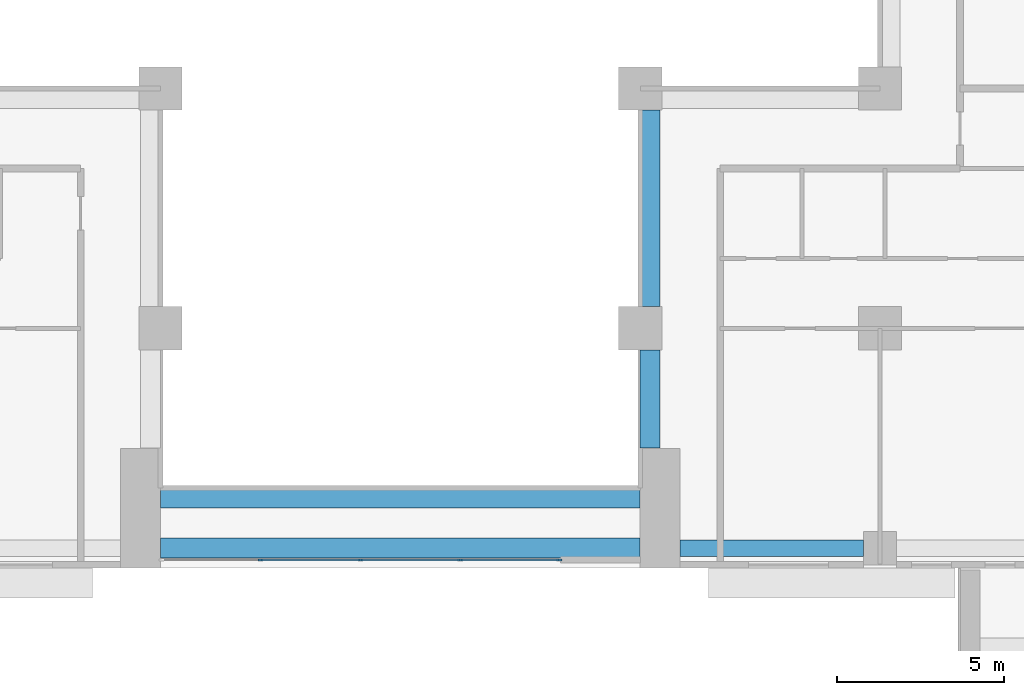
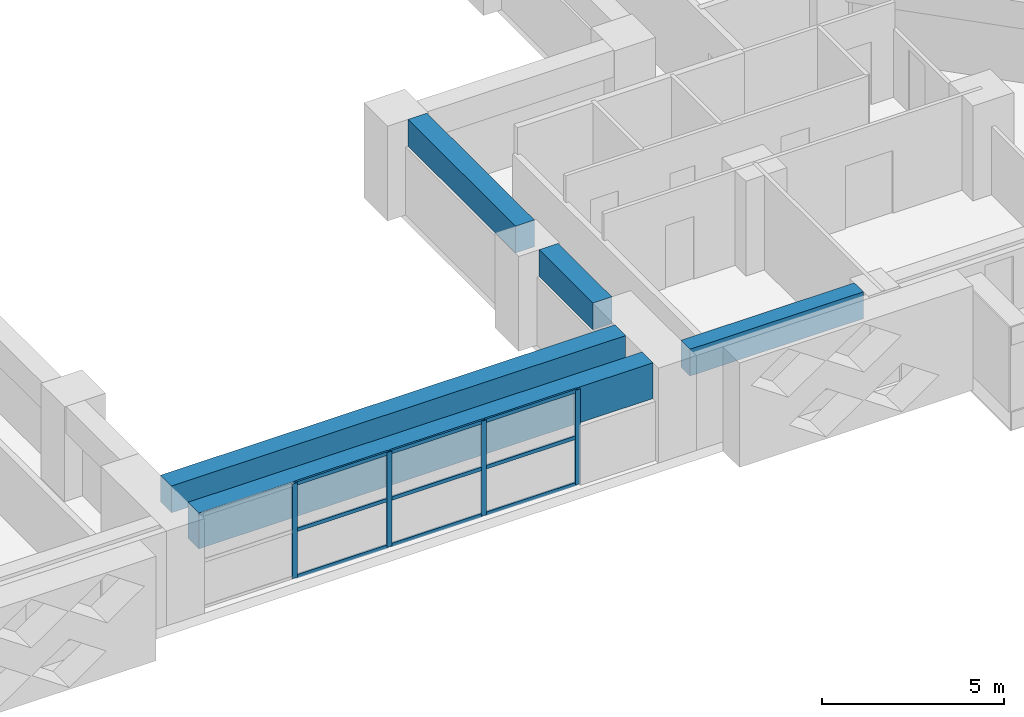
# One storey, part 4 of 16: 13 members, 5 beams, 1 element without a shape of its own.
"""IFC4 building model written with IfcOpenShell, lengths in metres."""

from ifc_helpers import new_model, si_unit, direction, frame, origin, origin_2d, place, context, subcontext, project, spatial, rectangle, extrude, source, transform, mapped, material, layer, layer_set, material_profile, profile_set, type_object, element, aggregate, save


model = new_model("IFC4")

# Units and contexts
model_context = context("Model", 3, precision=1e-05, world=origin(), true_north=direction((0.0, 1.0)))
body_context = subcontext(model_context, "Body", "Model", "MODEL_VIEW")
ifc_project = project(units=[si_unit("LENGTHUNIT", "METRE"), si_unit("AREAUNIT", "SQUARE_METRE"), si_unit("VOLUMEUNIT", "CUBIC_METRE"), si_unit("PLANEANGLEUNIT", "RADIAN"), si_unit("MASSUNIT", "GRAM", prefix="KILO")], contexts=[model_context])

# Site, building, storey
site_placement = place(None, origin())
site = spatial("IfcSite", under=ifc_project, at=site_placement, CompositionType="ELEMENT")
building_placement = place(site_placement, origin())
building = spatial("IfcBuilding", under=site, at=building_placement, Name="Saffron Iwan Residences", CompositionType="ELEMENT")
storey_placement = place(building_placement, frame((0.0, 0.0, 69.0)))
storey = spatial("IfcBuildingStorey", under=building, at=storey_placement, Name="L17", CompositionType="ELEMENT", Elevation=69.0)

# Beams
ifc_material_1 = material(Name="Concrete C60/75", Category="concrete")
ifc_material_profile_1 = material_profile(ifc_material_1, rectangle(XDim=0.60009765625, YDim=1.199951171875, at=origin_2d()), Name="RC 600x1200")
ifc_profile_set_1 = profile_set([ifc_material_profile_1], Name="Concrete C60/75")
beam_type_1 = type_object("IfcBeamType", Name="LINTEL BEAM RC 600x1200 C60/75 TOP 3180", PredefinedType="LINTEL", material=ifc_profile_set_1)
shared_shape_1 = source(origin(), body_context, "Body", "SweptSolid", [
    extrude(rectangle(XDim=0.60009765625, YDim=1.199951171875, at=origin_2d()), origin(), (0.0, 0.0, 1.0), 14.400146484375),
])
beam_1_placement = place(storey_placement, frame((57.60009765625, 34.199951171875, 2.580078125), z_axis=(-1.0, 0.0, 0.0), x_axis=(0.0, -1.0, 0.0)))
element("IfcBeam", 1, at=beam_1_placement, inside=storey, type_object=beam_type_1, Name="Lintel beam over the iwan", PredefinedType="LINTEL", context=body_context, shape_type="MappedRepresentation", body=[
    mapped(shared_shape_1, transform((0.0, 0.0, 0.0))),
])
ifc_material_profile_2 = material_profile(ifc_material_1, rectangle(XDim=0.60009765625, YDim=0.89990234375, at=origin_2d()), Name="RC 600x900")
ifc_profile_set_2 = profile_set([ifc_material_profile_2], Name="Concrete C60/75")
beam_type_2 = type_object("IfcBeamType", Name="BEAM RC 600x900 C60/75 TOP 3180", PredefinedType="BEAM", material=ifc_profile_set_2)
shared_shape_2 = source(origin(), body_context, "Body", "SweptSolid", [
    extrude(rectangle(XDim=0.60009765625, YDim=0.89990234375, at=origin_2d()), origin(), (0.0, 0.0, 1.0), 14.400146484375),
])
beam_2_placement = place(storey_placement, frame((57.60009765625, 35.699951171875, 2.72998046875), z_axis=(-1.0, 0.0, 0.0), x_axis=(0.0, -1.0, 0.0)))
element("IfcBeam", 2, at=beam_2_placement, inside=storey, type_object=beam_type_2, Name="Atrium edge beam", PredefinedType="BEAM", context=body_context, shape_type="MappedRepresentation", body=[
    mapped(shared_shape_2, transform((0.0, 0.0, 0.0))),
])
ifc_material_profile_3 = material_profile(ifc_material_1, rectangle(XDim=0.5, YDim=0.89990234375, at=origin_2d()), Name="RC 500x900")
ifc_profile_set_3 = profile_set([ifc_material_profile_3], Name="Concrete C60/75")
beam_type_3 = type_object("IfcBeamType", Name="SPANDREL BEAM RC 500x900 C60/75 TOP 3180", PredefinedType="SPANDREL", material=ifc_profile_set_3)
shared_shape_3 = source(origin(), body_context, "Body", "SweptSolid", [
    extrude(rectangle(XDim=0.5, YDim=0.89990234375, at=origin_2d()), origin(), (0.0, 0.0, 1.0), 5.5),
])
beam_3_placement = place(storey_placement, frame((64.300048828125, 34.199951171875, 2.72998046875), z_axis=(-1.0, 0.0, 0.0), x_axis=(0.0, -1.0, 0.0)))
element("IfcBeam", 3, at=beam_3_placement, inside=storey, type_object=beam_type_3, Name="Spandrel beam", PredefinedType="SPANDREL", context=body_context, shape_type="MappedRepresentation", body=[
    mapped(shared_shape_3, transform((0.0, 0.0, 0.0))),
])
shared_shape_4 = source(origin(), body_context, "Body", "SweptSolid", [
    extrude(rectangle(XDim=0.60009765625, YDim=0.89990234375, at=origin_2d()), origin(), (0.0, 0.0, 1.0), 2.949951171875),
])
beam_4_placement = place(storey_placement, frame((57.89990234375, 40.14990234375, 2.72998046875), z_axis=(0.0, -1.0, 0.0), x_axis=(1.0, 0.0, 0.0)))
element("IfcBeam", 4, at=beam_4_placement, inside=storey, type_object=beam_type_2, Name="Atrium edge beam", PredefinedType="BEAM", context=body_context, shape_type="MappedRepresentation", body=[
    mapped(shared_shape_4, transform((0.0, 0.0, 0.0))),
])
shared_shape_5 = source(origin(), body_context, "Body", "SweptSolid", [
    extrude(rectangle(XDim=0.60009765625, YDim=0.89990234375, at=origin_2d()), origin(), (0.0, 0.0, 1.0), 5.900146484375),
])
beam_5_placement = place(storey_placement, frame((57.89990234375, 47.35009765625, 2.72998046875), z_axis=(0.0, -1.0, 0.0), x_axis=(1.0, 0.0, 0.0)))
element("IfcBeam", 5, at=beam_5_placement, inside=storey, type_object=beam_type_2, Name="Atrium edge beam", PredefinedType="BEAM", context=body_context, shape_type="MappedRepresentation", body=[
    mapped(shared_shape_5, transform((0.0, 0.0, 0.0))),
])

# Curtain wall, members
ifc_material_2 = material(Name="Clear glass, laminated double glazed", Category="glass")
ifc_layer = layer(ifc_material_2, 0.199951171875)
ifc_layer_set = layer_set([ifc_layer], Name="Clear glass, laminated double glazed")
curtain_wall_type = type_object("IfcCurtainWallType", Name="CW-B IWAN PORTAL", PredefinedType="NOTDEFINED", material=ifc_layer_set)
curtain_wall_placement = place(storey_placement, origin())
curtain_wall = element("IfcCurtainWall", 6, at=curtain_wall_placement, inside=storey, type_object=curtain_wall_type, Name="Iwan portal glazing L17.1", PredefinedType="NOTDEFINED")
ifc_material_3 = material(Name="Aluminium 6063-T6", Category="aluminium")
ifc_material_profile_4 = material_profile(ifc_material_3, rectangle(XDim=0.06005859375, YDim=0.159912109375, at=origin_2d()), Name="CW-B MULLION 60 x 160")
ifc_profile_set_4 = profile_set([ifc_material_profile_4], Name="Aluminium 6063-T6")
member_type_1 = type_object("IfcMemberType", Name="CW-B MULLION 60 x 160", PredefinedType="MULLION", material=ifc_profile_set_4)
shared_shape_6 = source(origin(), body_context, "Body", "SweptSolid", [
    extrude(rectangle(XDim=0.06005859375, YDim=0.159912109375, at=origin_2d()), origin(), (0.0, 0.0, 1.0), 3.179931640625),
])
member_1_placement = place(storey_placement, frame((46.199951171875, 33.85009765625, 0.0), z_axis=(0.0, 0.0, 1.0), x_axis=(0.0, 1.0, 0.0)))
member_1 = element("IfcMember", 7, at=member_1_placement, type_object=member_type_1, Name="CW-B mullion 2", PredefinedType="MULLION", context=body_context, shape_type="MappedRepresentation", body=[
    mapped(shared_shape_6, transform((0.0, 0.0, 0.0))),
])
member_2_placement = place(storey_placement, frame((49.199951171875, 33.85009765625, 0.0), z_axis=(0.0, 0.0, 1.0), x_axis=(0.0, 1.0, 0.0)))
member_2 = element("IfcMember", 8, at=member_2_placement, type_object=member_type_1, Name="CW-B mullion 3", PredefinedType="MULLION", context=body_context, shape_type="MappedRepresentation", body=[
    mapped(shared_shape_6, transform((0.0, 0.0, 0.0))),
])
member_3_placement = place(storey_placement, frame((52.199951171875, 33.85009765625, 0.0), z_axis=(0.0, 0.0, 1.0), x_axis=(0.0, 1.0, 0.0)))
member_3 = element("IfcMember", 9, at=member_3_placement, type_object=member_type_1, Name="CW-B mullion 4", PredefinedType="MULLION", context=body_context, shape_type="MappedRepresentation", body=[
    mapped(shared_shape_6, transform((0.0, 0.0, 0.0))),
])
member_4_placement = place(storey_placement, frame((55.169921875, 33.85009765625, 0.0), z_axis=(0.0, 0.0, 1.0), x_axis=(0.0, 1.0, 0.0)))
member_4 = element("IfcMember", 10, at=member_4_placement, type_object=member_type_1, Name="CW-B mullion 5", PredefinedType="MULLION", context=body_context, shape_type="MappedRepresentation", body=[
    mapped(shared_shape_6, transform((0.0, 0.0, 0.0))),
])
ifc_material_profile_5 = material_profile(ifc_material_3, rectangle(XDim=0.06005859375, YDim=0.1201171875, at=origin_2d()), Name="CW-B TRANSOM 60 x 120")
ifc_profile_set_5 = profile_set([ifc_material_profile_5], Name="Aluminium 6063-T6")
member_type_2 = type_object("IfcMemberType", Name="CW-B TRANSOM 60 x 120", PredefinedType="USERDEFINED", material=ifc_profile_set_5)
shared_shape_7 = source(origin(), body_context, "Body", "SweptSolid", [
    extrude(rectangle(XDim=0.06005859375, YDim=0.1201171875, at=origin_2d()), origin(), (0.0, 0.0, 1.0), 2.909912109375),
])
member_5_placement = place(storey_placement, frame((52.22998046875, 33.85009765625, 0.030029296875), z_axis=(1.0, 0.0, 0.0), x_axis=(0.0, 1.0, 0.0)))
member_5 = element("IfcMember", 11, at=member_5_placement, type_object=member_type_2, Name="CW-B transom 4.1", ObjectType="TRANSOM", PredefinedType="USERDEFINED", context=body_context, shape_type="MappedRepresentation", body=[
    mapped(shared_shape_7, transform((0.0, 0.0, 0.0))),
])
member_6_placement = place(storey_placement, frame((52.22998046875, 33.85009765625, 1.590087890625), z_axis=(1.0, 0.0, 0.0), x_axis=(0.0, 1.0, 0.0)))
member_6 = element("IfcMember", 12, at=member_6_placement, type_object=member_type_2, Name="CW-B transom 4.2", ObjectType="TRANSOM", PredefinedType="USERDEFINED", context=body_context, shape_type="MappedRepresentation", body=[
    mapped(shared_shape_7, transform((0.0, 0.0, 0.0))),
])
member_7_placement = place(storey_placement, frame((52.22998046875, 33.85009765625, 3.14990234375), z_axis=(1.0, 0.0, 0.0), x_axis=(0.0, 1.0, 0.0)))
member_7 = element("IfcMember", 13, at=member_7_placement, type_object=member_type_2, Name="CW-B transom 4.3", ObjectType="TRANSOM", PredefinedType="USERDEFINED", context=body_context, shape_type="MappedRepresentation", body=[
    mapped(shared_shape_7, transform((0.0, 0.0, 0.0))),
])
shared_shape_8 = source(origin(), body_context, "Body", "SweptSolid", [
    extrude(rectangle(XDim=0.06005859375, YDim=0.1201171875, at=origin_2d()), origin(), (0.0, 0.0, 1.0), 2.93994140625),
])
member_8_placement = place(storey_placement, frame((46.22998046875, 33.85009765625, 0.030029296875), z_axis=(1.0, 0.0, 0.0), x_axis=(0.0, 1.0, 0.0)))
member_8 = element("IfcMember", 14, at=member_8_placement, type_object=member_type_2, Name="CW-B transom 2.1", ObjectType="TRANSOM", PredefinedType="USERDEFINED", context=body_context, shape_type="MappedRepresentation", body=[
    mapped(shared_shape_8, transform((0.0, 0.0, 0.0))),
])
member_9_placement = place(storey_placement, frame((46.22998046875, 33.85009765625, 1.590087890625), z_axis=(1.0, 0.0, 0.0), x_axis=(0.0, 1.0, 0.0)))
member_9 = element("IfcMember", 15, at=member_9_placement, type_object=member_type_2, Name="CW-B transom 2.2", ObjectType="TRANSOM", PredefinedType="USERDEFINED", context=body_context, shape_type="MappedRepresentation", body=[
    mapped(shared_shape_8, transform((0.0, 0.0, 0.0))),
])
member_10_placement = place(storey_placement, frame((46.22998046875, 33.85009765625, 3.14990234375), z_axis=(1.0, 0.0, 0.0), x_axis=(0.0, 1.0, 0.0)))
member_10 = element("IfcMember", 16, at=member_10_placement, type_object=member_type_2, Name="CW-B transom 2.3", ObjectType="TRANSOM", PredefinedType="USERDEFINED", context=body_context, shape_type="MappedRepresentation", body=[
    mapped(shared_shape_8, transform((0.0, 0.0, 0.0))),
])
member_11_placement = place(storey_placement, frame((49.22998046875, 33.85009765625, 0.030029296875), z_axis=(1.0, 0.0, 0.0), x_axis=(0.0, 1.0, 0.0)))
member_11 = element("IfcMember", 17, at=member_11_placement, type_object=member_type_2, Name="CW-B transom 3.1", ObjectType="TRANSOM", PredefinedType="USERDEFINED", context=body_context, shape_type="MappedRepresentation", body=[
    mapped(shared_shape_8, transform((0.0, 0.0, 0.0))),
])
member_12_placement = place(storey_placement, frame((49.22998046875, 33.85009765625, 1.590087890625), z_axis=(1.0, 0.0, 0.0), x_axis=(0.0, 1.0, 0.0)))
member_12 = element("IfcMember", 18, at=member_12_placement, type_object=member_type_2, Name="CW-B transom 3.2", ObjectType="TRANSOM", PredefinedType="USERDEFINED", context=body_context, shape_type="MappedRepresentation", body=[
    mapped(shared_shape_8, transform((0.0, 0.0, 0.0))),
])
member_13_placement = place(storey_placement, frame((49.22998046875, 33.85009765625, 3.14990234375), z_axis=(1.0, 0.0, 0.0), x_axis=(0.0, 1.0, 0.0)))
member_13 = element("IfcMember", 19, at=member_13_placement, type_object=member_type_2, Name="CW-B transom 3.3", ObjectType="TRANSOM", PredefinedType="USERDEFINED", context=body_context, shape_type="MappedRepresentation", body=[
    mapped(shared_shape_8, transform((0.0, 0.0, 0.0))),
])
aggregate(curtain_wall, [member_1, member_2, member_3, member_4, member_8, member_9, member_10, member_11, member_12, member_13, member_5, member_6, member_7])

save(model, "model.ifc")
